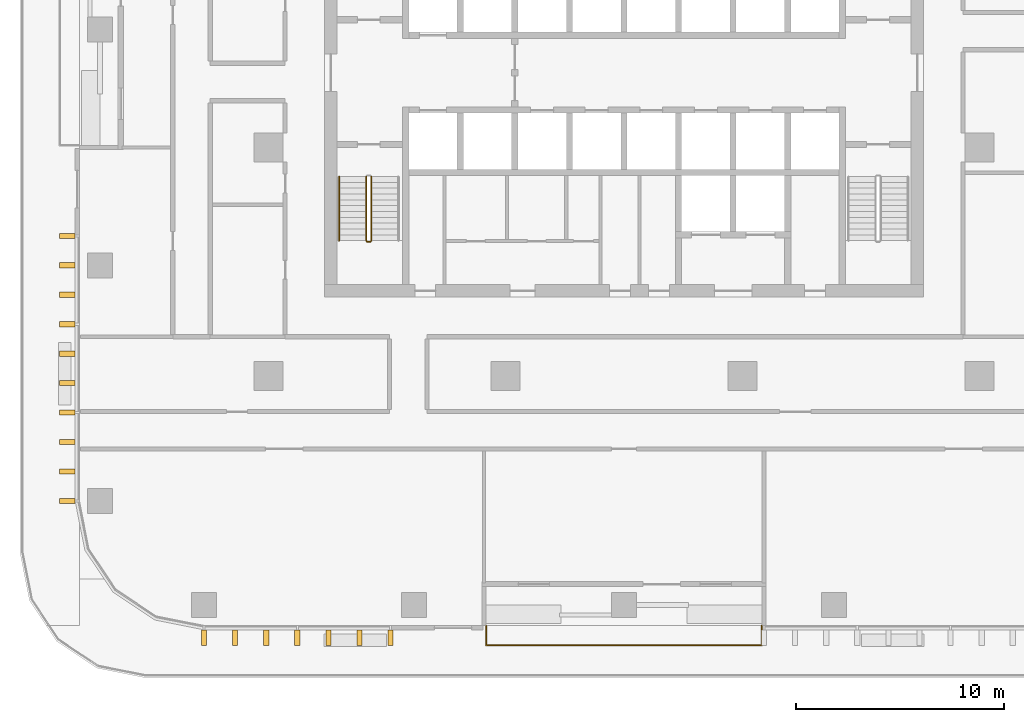
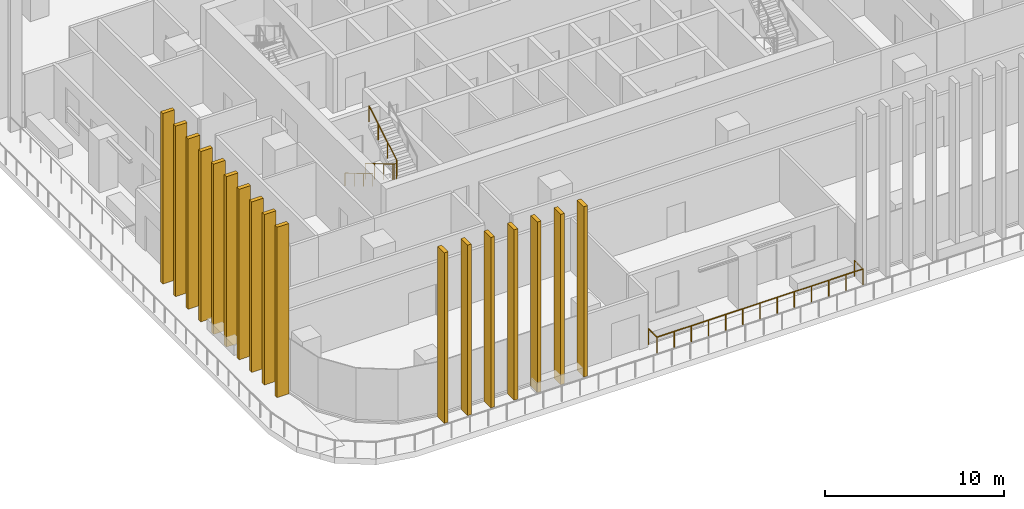
# One storey, part 12 of 16: 17 shading devices, 4 railings.
"""IFC4 building model written with IfcOpenShell, lengths in metres."""

from ifc_helpers import new_model, si_unit, direction, frame, origin, origin_2d, place, context, subcontext, project, spatial, rectangle, circle, extrude, material, type_object, element, save


model = new_model("IFC4")

# Units and contexts
model_context = context("Model", 3, precision=1e-05, world=origin(), true_north=direction((0.0, 1.0)))
body_context = subcontext(model_context, "Body", "Model", "MODEL_VIEW")
ifc_project = project(units=[si_unit("LENGTHUNIT", "METRE"), si_unit("AREAUNIT", "SQUARE_METRE"), si_unit("VOLUMEUNIT", "CUBIC_METRE"), si_unit("PLANEANGLEUNIT", "RADIAN"), si_unit("MASSUNIT", "GRAM", prefix="KILO")], contexts=[model_context])

# Site, building, storey
site_placement = place(None, origin())
site = spatial("IfcSite", under=ifc_project, at=site_placement, CompositionType="ELEMENT")
building_placement = place(site_placement, origin())
building = spatial("IfcBuilding", under=site, at=building_placement, Name="Mopane Tessera Tower", CompositionType="ELEMENT")
storey_placement = place(building_placement, frame((0.0, 0.0, 157.0)))
storey = spatial("IfcBuildingStorey", under=building, at=storey_placement, Name="L31", CompositionType="ELEMENT", Elevation=157.0)

# Shading devices
ifc_material_1 = material(Name="Glazed ceramic tile")
shading_device_type = type_object("IfcShadingDeviceType", Name="Ceramic tile fin 750 x 250 mm", PredefinedType="USERDEFINED", material=ifc_material_1)
for number, where, z_axis, x_axis, name in (
    (1, (-20.199951171875, -23.574951171875, 0.0), (0.0, 0.0, 1.0), (1.0, 0.0, 0.0), "e:fin:L31:S:0:0"),
    (2, (-18.70361328125, -23.574951171875, 0.0), (0.0, 0.0, 1.0), (1.0, 0.0, 0.0), "e:fin:L31:S:0:1"),
    (3, (-17.20751953125, -23.574951171875, 0.0), (0.0, 0.0, 1.0), (1.0, 0.0, 0.0), "e:fin:L31:S:0:2"),
    (4, (-15.711181640625, -23.574951171875, 0.0), (0.0, 0.0, 1.0), (1.0, 0.0, 0.0), "e:fin:L31:S:1:0"),
    (5, (-14.21484375, -23.574951171875, 0.0), (0.0, 0.0, 1.0), (1.0, 0.0, 0.0), "e:fin:L31:S:1:1"),
    (6, (-12.718505859375, -23.574951171875, 0.0), (0.0, 0.0, 1.0), (1.0, 0.0, 0.0), "e:fin:L31:S:1:2"),
    (7, (-11.22216796875, -23.574951171875, 0.0), (0.0, 0.0, 1.0), (1.0, 0.0, 0.0), "e:fin:L31:S:1:3"),
    (8, (-26.77490234375, -4.25, 0.0), (0.0, 0.0, 1.0), (0.0, -1.0, 0.0), "e:fin:L31:W:5:0"),
    (9, (-26.77490234375, -5.666748046875, 0.0), (0.0, 0.0, 1.0), (0.0, -1.0, 0.0), "e:fin:L31:W:5:1"),
    (10, (-26.77490234375, -7.083251953125, 0.0), (0.0, 0.0, 1.0), (0.0, -1.0, 0.0), "e:fin:L31:W:5:2"),
    (11, (-26.77490234375, -8.5, 0.0), (0.0, 0.0, 1.0), (0.0, -1.0, 0.0), "e:fin:L31:W:6:0"),
    (12, (-26.77490234375, -9.916748046875, 0.0), (0.0, 0.0, 1.0), (0.0, -1.0, 0.0), "e:fin:L31:W:6:1"),
    (13, (-26.77490234375, -11.333251953125, 0.0), (0.0, 0.0, 1.0), (0.0, -1.0, 0.0), "e:fin:L31:W:6:2"),
    (14, (-26.77490234375, -12.75, 0.0), (0.0, 0.0, 1.0), (0.0, -1.0, 0.0), "e:fin:L31:W:7:0"),
    (15, (-26.77490234375, -14.166748046875, 0.0), (0.0, 0.0, 1.0), (0.0, -1.0, 0.0), "e:fin:L31:W:7:1"),
    (16, (-26.77490234375, -15.583251953125, 0.0), (0.0, 0.0, 1.0), (0.0, -1.0, 0.0), "e:fin:L31:W:7:2"),
    (17, (-26.77490234375, -17.0, 0.0), (0.0, 0.0, 1.0), (0.0, -1.0, 0.0), "e:fin:L31:W:7:3"),
):
    element("IfcShadingDevice", number, at=place(storey_placement, frame(where, z_axis=z_axis, x_axis=x_axis)), inside=storey, type_object=shading_device_type, Name=name, ObjectType="FIN", PredefinedType="USERDEFINED", context=body_context, shape_type="SweptSolid", body=[
        extrude(rectangle(XDim=0.25, YDim=0.75, at=origin_2d()), origin(), (0.0, 0.0, 1.0), 11.60009765625),
    ])

# Railings
ifc_material_2 = material(Name="Powder-coated steel balustrade", Category="steel")
railing_type_1 = type_object("IfcRailingType", Name="Escape stair guard 1100 mm", PredefinedType="GUARDRAIL", material=ifc_material_2)
railing_1_placement = place(storey_placement, frame((-12.39990234375, -1.39990234375, 0.166748046875)))
element("IfcRailing", 18, at=railing_1_placement, inside=storey, type_object=railing_type_1, Name="L31 ST1 stair guard 1", PredefinedType="GUARDRAIL", context=body_context, shape_type="SweptSolid", body=[
    extrude(circle(Radius=0.02392578125, at=origin_2d()), frame((0.0, 0.0, 1.076171875), z_axis=(0.0, -0.859308565015, 0.511457515432), x_axis=(1.0, 0.0, 0.0)), (0.0, 0.0, 1.0), 3.58447265625),
    extrude(circle(Radius=0.02392578125, at=origin_2d()), frame((0.0, -3.080078125, 2.9091796875), z_axis=(0.705375805398, -0.708833529934, 0.0), x_axis=(0.708833529934, 0.705375805398, 0.0)), (0.0, 0.0, 1.0), 0.070556640625),
    extrude(circle(Radius=0.02392578125, at=origin_2d()), frame((0.0498046875, -3.130126953125, 2.9091796875), z_axis=(1.0, 0.0, 0.0), x_axis=(0.0, 1.0, 0.0)), (0.0, 0.0, 1.0), 0.150146484375),
    extrude(circle(Radius=0.02099609375, at=origin_2d()), origin(), (0.0, 0.0, 1.0), 1.052001953125),
    extrude(circle(Radius=0.02099609375, at=origin_2d()), frame((0.0, -1.026611328125, 0.611083984375)), (0.0, 0.0, 1.0), 1.052001953125),
    extrude(circle(Radius=0.02099609375, at=origin_2d()), frame((0.0, -2.053466796875, 1.22216796875)), (0.0, 0.0, 1.0), 1.052001953125),
    extrude(circle(Radius=0.02099609375, at=origin_2d()), frame((0.0, -3.080078125, 1.833251953125)), (0.0, 0.0, 1.0), 1.052001953125),
    extrude(circle(Radius=0.02099609375, at=origin_2d()), frame((0.0498046875, -3.130126953125, 1.833251953125)), (0.0, 0.0, 1.0), 1.052001953125),
    extrude(circle(Radius=0.02099609375, at=origin_2d()), frame((0.199951171875, -3.130126953125, 1.833251953125)), (0.0, 0.0, 1.0), 1.052001953125),
])
railing_2_placement = place(storey_placement, frame((-12.14990234375, -4.47998046875, 2.166748046875)))
element("IfcRailing", 19, at=railing_2_placement, inside=storey, type_object=railing_type_1, Name="L31 ST1 stair guard 2", PredefinedType="GUARDRAIL", context=body_context, shape_type="SweptSolid", body=[
    extrude(circle(Radius=0.02392578125, at=origin_2d()), frame((0.0, 0.0, 1.076171875), z_axis=(0.0, 0.859308565015, 0.511457515432), x_axis=(-1.0, 0.0, 0.0)), (0.0, 0.0, 1.0), 3.58447265625),
    extrude(circle(Radius=0.02099609375, at=origin_2d()), origin(), (0.0, 0.0, 1.0), 1.052001953125),
    extrude(circle(Radius=0.02099609375, at=origin_2d()), frame((0.0, 1.026611328125, 0.611083984375)), (0.0, 0.0, 1.0), 1.052001953125),
    extrude(circle(Radius=0.02099609375, at=origin_2d()), frame((0.0, 2.053466796875, 1.22216796875)), (0.0, 0.0, 1.0), 1.052001953125),
    extrude(circle(Radius=0.02099609375, at=origin_2d()), frame((0.0, 3.080078125, 1.833251953125)), (0.0, 0.0, 1.0), 1.052001953125),
])
ifc_material_3 = material(Name="Powder-coated steel balustrade", Category="steel")
railing_type_2 = type_object("IfcRailingType", Name="Escape stair handrail 900 mm", PredefinedType="HANDRAIL", material=ifc_material_3)
railing_3_placement = place(storey_placement, frame((-13.699951171875, -1.39990234375, 0.166748046875)))
element("IfcRailing", 20, at=railing_3_placement, inside=storey, type_object=railing_type_2, Name="L31 ST1 stair handrail 1", PredefinedType="HANDRAIL", context=body_context, shape_type="SweptSolid", body=[
    extrude(circle(Radius=0.02392578125, at=origin_2d()), frame((0.0, 0.0, 0.8759765625), z_axis=(0.0, -0.859308565015, 0.511457515432), x_axis=(1.0, 0.0, 0.0)), (0.0, 0.0, 1.0), 3.58447265625),
    extrude(circle(Radius=0.02099609375, at=origin_2d()), origin(), (0.0, 0.0, 1.0), 0.851806640625),
    extrude(circle(Radius=0.02099609375, at=origin_2d()), frame((0.0, -1.026611328125, 0.611083984375)), (0.0, 0.0, 1.0), 0.851806640625),
    extrude(circle(Radius=0.02099609375, at=origin_2d()), frame((0.0, -2.053466796875, 1.22216796875)), (0.0, 0.0, 1.0), 0.851806640625),
    extrude(circle(Radius=0.02099609375, at=origin_2d()), frame((0.0, -3.080078125, 1.833251953125)), (0.0, 0.0, 1.0), 0.851806640625),
])
ifc_material_4 = material(Name="Stainless steel S316", Category="steel")
railing_type_3 = type_object("IfcRailingType", Name="Terrace guard 1100", PredefinedType="GUARDRAIL", material=ifc_material_4)
railing_4_placement = place(storey_placement, frame((-6.63330078125, -23.0, 0.0)))
element("IfcRailing", 21, at=railing_4_placement, inside=storey, type_object=railing_type_3, Name="e:nw:L31:N2:guard", PredefinedType="GUARDRAIL", context=body_context, shape_type="SweptSolid", body=[
    extrude(circle(Radius=0.02392578125, at=origin_2d()), frame((0.0, 0.0, 1.076171875), z_axis=(0.0, -1.0, 0.0), x_axis=(1.0, 0.0, 0.0)), (0.0, 0.0, 1.0), 0.949951171875),
    extrude(circle(Radius=0.02392578125, at=origin_2d()), frame((0.0, -0.949951171875, 1.076171875), z_axis=(1.0, 0.0, 0.0), x_axis=(0.0, 1.0, 0.0)), (0.0, 0.0, 1.0), 13.2666015625),
    extrude(circle(Radius=0.02392578125, at=origin_2d()), frame((13.2666015625, -0.949951171875, 1.076171875), z_axis=(0.0, 1.0, 0.0), x_axis=(-1.0, 0.0, 0.0)), (0.0, 0.0, 1.0), 0.949951171875),
    extrude(circle(Radius=0.02099609375, at=origin_2d()), origin(), (0.0, 0.0, 1.0), 1.052001953125),
    extrude(circle(Radius=0.02099609375, at=origin_2d()), frame((0.0, -0.949951171875, 0.0)), (0.0, 0.0, 1.0), 1.052001953125),
    extrude(circle(Radius=0.02099609375, at=origin_2d()), frame((1.10546875, -0.949951171875, 0.0)), (0.0, 0.0, 1.0), 1.052001953125),
    extrude(circle(Radius=0.02099609375, at=origin_2d()), frame((2.211181640625, -0.949951171875, 0.0)), (0.0, 0.0, 1.0), 1.052001953125),
    extrude(circle(Radius=0.02099609375, at=origin_2d()), frame((3.316650390625, -0.949951171875, 0.0)), (0.0, 0.0, 1.0), 1.052001953125),
    extrude(circle(Radius=0.02099609375, at=origin_2d()), frame((4.422119140625, -0.949951171875, 0.0)), (0.0, 0.0, 1.0), 1.052001953125),
    extrude(circle(Radius=0.02099609375, at=origin_2d()), frame((5.52783203125, -0.949951171875, 0.0)), (0.0, 0.0, 1.0), 1.052001953125),
    extrude(circle(Radius=0.02099609375, at=origin_2d()), frame((6.63330078125, -0.949951171875, 0.0)), (0.0, 0.0, 1.0), 1.052001953125),
    extrude(circle(Radius=0.02099609375, at=origin_2d()), frame((7.73876953125, -0.949951171875, 0.0)), (0.0, 0.0, 1.0), 1.052001953125),
    extrude(circle(Radius=0.02099609375, at=origin_2d()), frame((8.844482421875, -0.949951171875, 0.0)), (0.0, 0.0, 1.0), 1.052001953125),
    extrude(circle(Radius=0.02099609375, at=origin_2d()), frame((9.949951171875, -0.949951171875, 0.0)), (0.0, 0.0, 1.0), 1.052001953125),
    extrude(circle(Radius=0.02099609375, at=origin_2d()), frame((11.055419921875, -0.949951171875, 0.0)), (0.0, 0.0, 1.0), 1.052001953125),
    extrude(circle(Radius=0.02099609375, at=origin_2d()), frame((12.1611328125, -0.949951171875, 0.0)), (0.0, 0.0, 1.0), 1.052001953125),
    extrude(circle(Radius=0.02099609375, at=origin_2d()), frame((13.2666015625, -0.949951171875, 0.0)), (0.0, 0.0, 1.0), 1.052001953125),
    extrude(circle(Radius=0.02099609375, at=origin_2d()), frame((13.2666015625, 0.0, 0.0)), (0.0, 0.0, 1.0), 1.052001953125),
])

save(model, "model.ifc")
